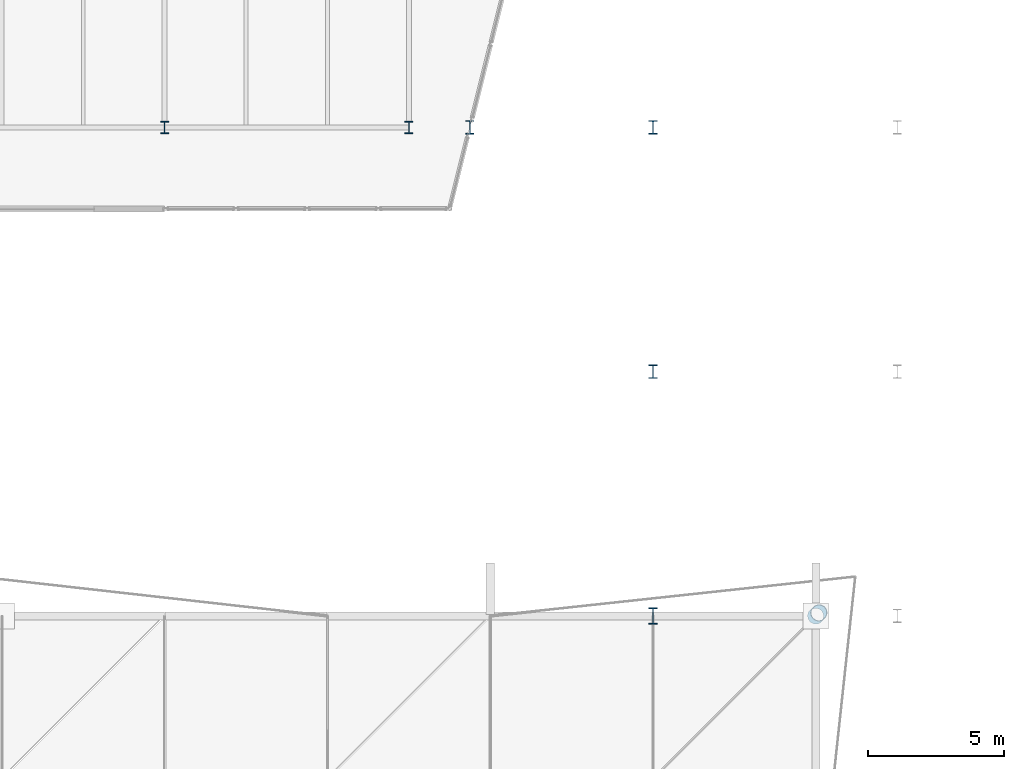
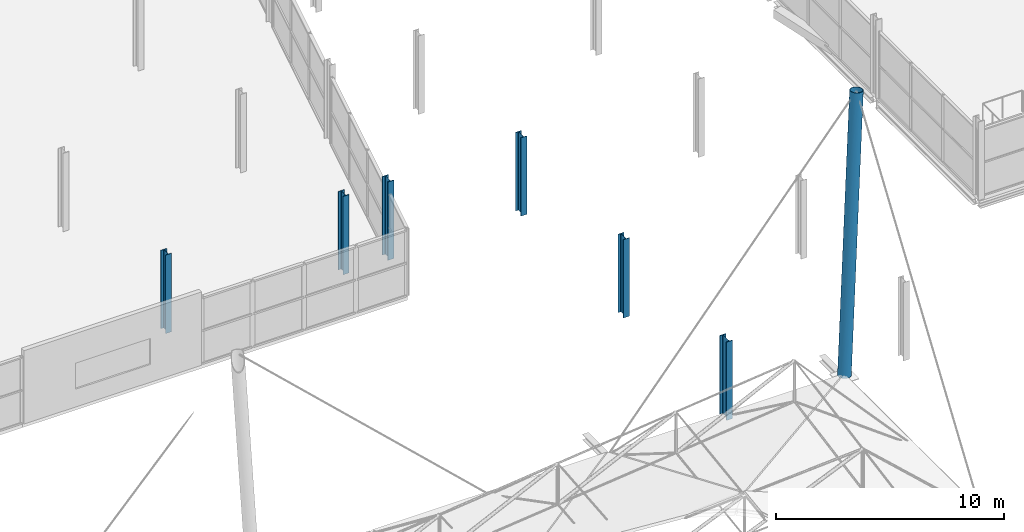
# One storey, part 3 of 132: 7 columns.
"""IFC4 building model written with IfcOpenShell, lengths in metres."""

from ifc_helpers import new_model, si_unit, direction, frame, origin, origin_2d, place, context, subcontext, project, spatial, hollow_circle, i_section, extrude, material, material_profile, profile_set, type_object, element, save


model = new_model("IFC4")

# Units and contexts
model_context = context("Model", 3, precision=1e-05, world=origin(), true_north=direction((0.0, 1.0)))
body_context = subcontext(model_context, "Body", "Model", "MODEL_VIEW")
ifc_project = project(units=[si_unit("LENGTHUNIT", "METRE"), si_unit("AREAUNIT", "SQUARE_METRE"), si_unit("VOLUMEUNIT", "CUBIC_METRE"), si_unit("PLANEANGLEUNIT", "RADIAN"), si_unit("MASSUNIT", "GRAM", prefix="KILO")], contexts=[model_context])

# Site, building, storey
site_placement = place(None, origin())
site = spatial("IfcSite", under=ifc_project, at=site_placement, CompositionType="ELEMENT")
building_placement = place(site_placement, origin())
building = spatial("IfcBuilding", under=site, at=building_placement, Name="Deido Ridge Mobility Hub", CompositionType="ELEMENT")
storey_placement = place(building_placement, frame((0.0, 0.0, 8.39990234375)))
storey = spatial("IfcBuildingStorey", under=building, at=storey_placement, Name="L02", CompositionType="ELEMENT", Elevation=8.39990234375)

# Columns
ifc_material_1 = material(Name="Steel S355J2 EN 10025-2", Category="steel")
ifc_material_profile_1 = material_profile(ifc_material_1, i_section(OverallWidth=0.300048828125, OverallDepth=0.449951171875, WebThickness=0.013916015625, FlangeThickness=0.02587890625, FilletRadius=0.027099609375, at=origin_2d()), Name="HEB 450")
ifc_profile_set_1 = profile_set([ifc_material_profile_1], Name="Steel S355J2 EN 10025-2")
column_type_1 = type_object("IfcColumnType", Name="COL-HEB450", PredefinedType="COLUMN", material=ifc_profile_set_1)
for number, where, z_axis, x_axis, name in (
    (1, (36.0, 54.0, 0.0), (0.0, 0.0, 1.0), (1.0, 0.0, 0.0), "Structural column C6"),
    (2, (45.0, 54.0, 0.0), (0.0, 0.0, 1.0), (1.0, 0.0, 0.0), "Structural column C6"),
):
    element("IfcColumn", number, at=place(storey_placement, frame(where, z_axis=z_axis, x_axis=x_axis)), inside=storey, type_object=column_type_1, Name=name, PredefinedType="COLUMN", context=body_context, shape_type="SweptSolid", body=[
        extrude(i_section(OverallWidth=0.300048828125, OverallDepth=0.449951171875, WebThickness=0.013916015625, FlangeThickness=0.02587890625, FilletRadius=0.027099609375, at=origin_2d()), origin(), (0.0, 0.0, 1.0), 4.2001953125),
    ])
ifc_material_profile_2 = material_profile(ifc_material_1, i_section(OverallWidth=0.300048828125, OverallDepth=0.5, WebThickness=0.014404296875, FlangeThickness=0.028076171875, FilletRadius=0.027099609375, at=origin_2d()), Name="HEB 500")
ifc_profile_set_2 = profile_set([ifc_material_profile_2], Name="Steel S355J2 EN 10025-2")
column_type_2 = type_object("IfcColumnType", Name="COL-HEB500", PredefinedType="COLUMN", material=ifc_profile_set_2)
for number, where, z_axis, x_axis, name in (
    (3, (47.25, 54.0, 0.0), (0.0, 0.0, 1.0), (1.0, 0.0, 0.0), "Structural column C5"),
    (4, (54.0, 54.0, 0.0), (0.0, 0.0, 1.0), (1.0, 0.0, 0.0), "Structural column C5"),
    (5, (54.0, 45.0, 0.0), (0.0, 0.0, 1.0), (1.0, 0.0, 0.0), "Structural column C5"),
):
    element("IfcColumn", number, at=place(storey_placement, frame(where, z_axis=z_axis, x_axis=x_axis)), inside=storey, type_object=column_type_2, Name=name, PredefinedType="COLUMN", context=body_context, shape_type="SweptSolid", body=[
        extrude(i_section(OverallWidth=0.300048828125, OverallDepth=0.5, WebThickness=0.014404296875, FlangeThickness=0.028076171875, FilletRadius=0.027099609375, at=origin_2d()), origin(), (0.0, 0.0, 1.0), 4.2001953125),
    ])
ifc_material_profile_3 = material_profile(ifc_material_1, i_section(OverallWidth=0.300048828125, OverallDepth=0.60009765625, WebThickness=0.015380859375, FlangeThickness=0.030029296875, FilletRadius=0.027099609375, at=origin_2d()), Name="HEB 600")
ifc_profile_set_3 = profile_set([ifc_material_profile_3], Name="Steel S355J2 EN 10025-2")
column_type_3 = type_object("IfcColumnType", Name="COL-HEB600", PredefinedType="COLUMN", material=ifc_profile_set_3)
column_1_placement = place(storey_placement, frame((54.0, 36.0, 0.0), z_axis=(0.0, 0.0, 1.0), x_axis=(1.0, 0.0, 0.0)))
element("IfcColumn", 6, at=column_1_placement, inside=storey, type_object=column_type_3, Name="Structural column C4", PredefinedType="COLUMN", context=body_context, shape_type="SweptSolid", body=[
    extrude(i_section(OverallWidth=0.300048828125, OverallDepth=0.60009765625, WebThickness=0.015380859375, FlangeThickness=0.030029296875, FilletRadius=0.027099609375, at=origin_2d()), origin(), (0.0, 0.0, 1.0), 4.2001953125),
])
ifc_material_2 = material(Name="Steel S355J2H EN 10210-1", Category="steel")
ifc_material_profile_4 = material_profile(ifc_material_2, hollow_circle(Radius=0.304931640625, WallThickness=0.02490234375, at=origin_2d()), Name="CHS 610x25")
ifc_profile_set_4 = profile_set([ifc_material_profile_4], Name="Steel S355J2H EN 10210-1")
column_type_4 = type_object("IfcColumnType", Name="MAST-CHS610", PredefinedType="USERDEFINED", material=ifc_profile_set_4)
column_2_placement = place(storey_placement, frame((60.0, 36.0, 0.085205078125), z_axis=(0.103088788308, 0.103088788308, 0.989315623778), x_axis=(-0.707106781187, 0.707106781187, 0.0)))
element("IfcColumn", 7, at=column_2_placement, inside=storey, type_object=column_type_4, Name="Roof mast M3", ObjectType="MAST COLUMN", PredefinedType="USERDEFINED", context=body_context, shape_type="SweptSolid", body=[
    extrude(hollow_circle(Radius=0.304931640625, WallThickness=0.02490234375, at=origin_2d()), origin(), (0.0, 0.0, 1.0), 14.065185546875),
])

save(model, "model.ifc")
